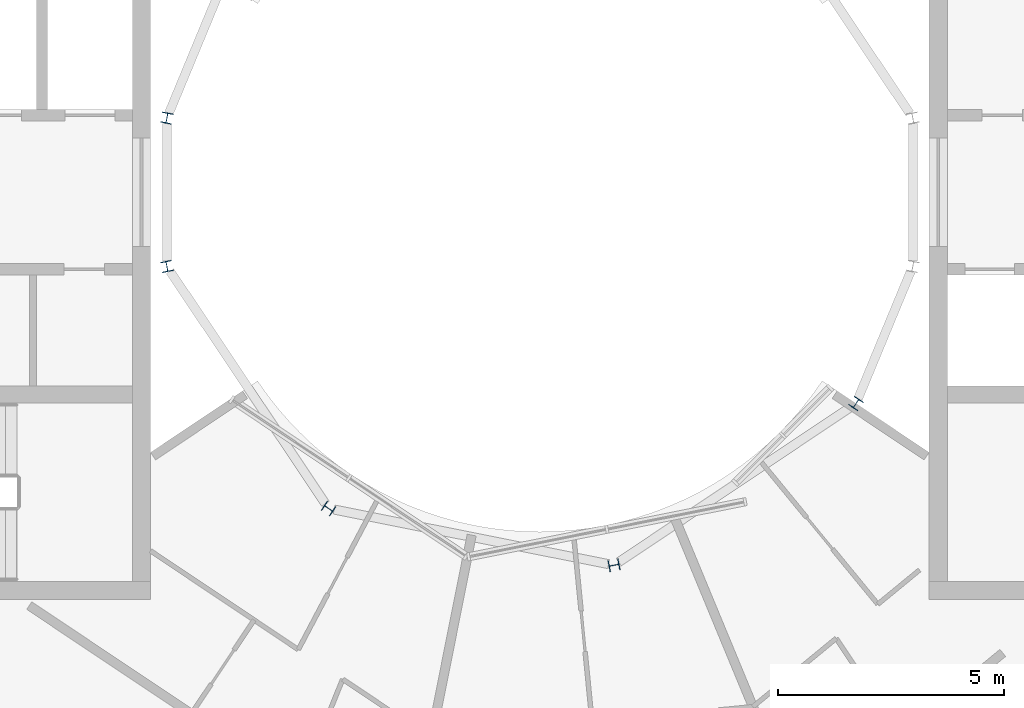
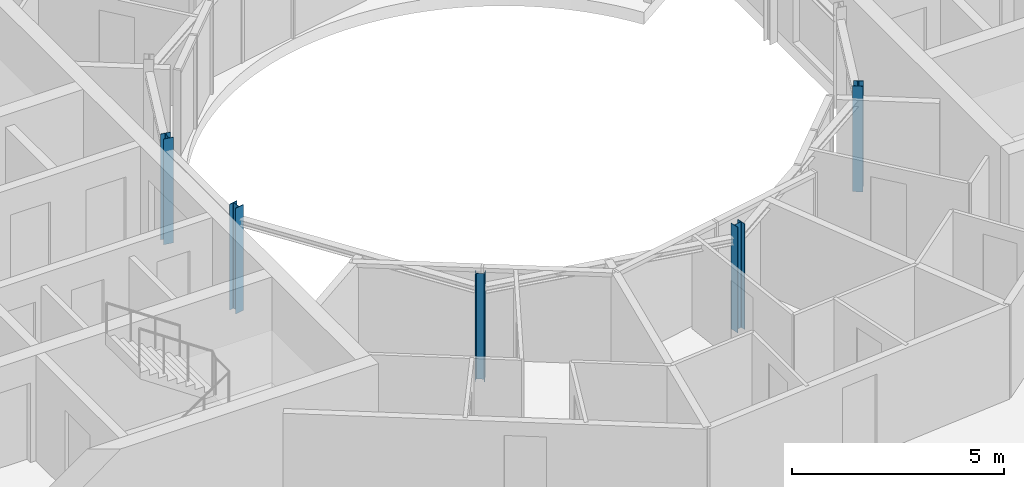
# One storey, part 2 of 27: 5 columns.
"""IFC4 building model written with IfcOpenShell, lengths in metres."""

from ifc_helpers import new_model, si_unit, direction, frame, origin, origin_2d, place, context, subcontext, project, spatial, i_section, extrude, material, material_profile, profile_set, type_object, element, save


model = new_model("IFC4")

# Units and contexts
model_context = context("Model", 3, precision=1e-05, world=origin(), true_north=direction((0.0, 1.0)))
body_context = subcontext(model_context, "Body", "Model", "MODEL_VIEW")
ifc_project = project(units=[si_unit("LENGTHUNIT", "METRE"), si_unit("AREAUNIT", "SQUARE_METRE"), si_unit("VOLUMEUNIT", "CUBIC_METRE"), si_unit("PLANEANGLEUNIT", "RADIAN"), si_unit("MASSUNIT", "GRAM", prefix="KILO")], contexts=[model_context])

# Site, building, storey
site_placement = place(None, origin())
site = spatial("IfcSite", under=ifc_project, at=site_placement, CompositionType="ELEMENT")
building_placement = place(site_placement, origin())
building = spatial("IfcBuilding", under=site, at=building_placement, Name="Maasbend Ring Residences", CompositionType="ELEMENT")
storey_placement = place(building_placement, frame((0.0, 0.0, 243.199951171875)))
storey = spatial("IfcBuildingStorey", under=building, at=storey_placement, Name="L70", CompositionType="ELEMENT", Elevation=243.199951171875)

# Columns
ifc_material = material(Name="Steel S355J2", Category="steel")
ifc_material_profile = material_profile(ifc_material, i_section(OverallWidth=0.239990234375, OverallDepth=0.22998046875, WebThickness=0.007568359375, FlangeThickness=0.011962890625, FilletRadius=0.02099609375, at=origin_2d()), Name="HEA 240")
ifc_profile_set = profile_set([ifc_material_profile], Name="Steel S355J2")
column_type = type_object("IfcColumnType", Name="Steel column HEA 240", PredefinedType="COLUMN", material=ifc_profile_set)
for number, where, z_axis, x_axis, name in (
    (1, (-8.238525390625, 1.638916015625, 0.0), (0.0, 0.0, 1.0), (-0.980785280403, 0.195090322016, 0.0), "Well ring column R8"),
    (2, (-8.238525390625, -1.638916015625, 0.0), (0.0, 0.0, 1.0), (-0.980785280403, -0.195090322016, 0.0), "Well ring column R9"),
    (3, (-4.666748046875, -6.984375, 0.0), (0.0, 0.0, 1.0), (-0.55557023302, -0.831469612303, 0.0), "Well ring column R11"),
    (4, (1.638916015625, -8.238525390625, 0.0), (0.0, 0.0, 1.0), (0.195090322016, -0.980785280403, 0.0), "Well ring column R13"),
    (5, (6.984375, -4.666748046875, 0.0), (0.0, 0.0, 1.0), (0.831469612303, -0.55557023302, 0.0), "Well ring column R15"),
):
    element("IfcColumn", number, at=place(storey_placement, frame(where, z_axis=z_axis, x_axis=x_axis)), inside=storey, type_object=column_type, Name=name, PredefinedType="COLUMN", context=body_context, shape_type="SweptSolid", body=[
        extrude(i_section(OverallWidth=0.239990234375, OverallDepth=0.22998046875, WebThickness=0.007568359375, FlangeThickness=0.011962890625, FilletRadius=0.02099609375, at=origin_2d()), origin(), (0.0, 0.0, 1.0), 3.050048828125),
    ])

save(model, "model.ifc")
